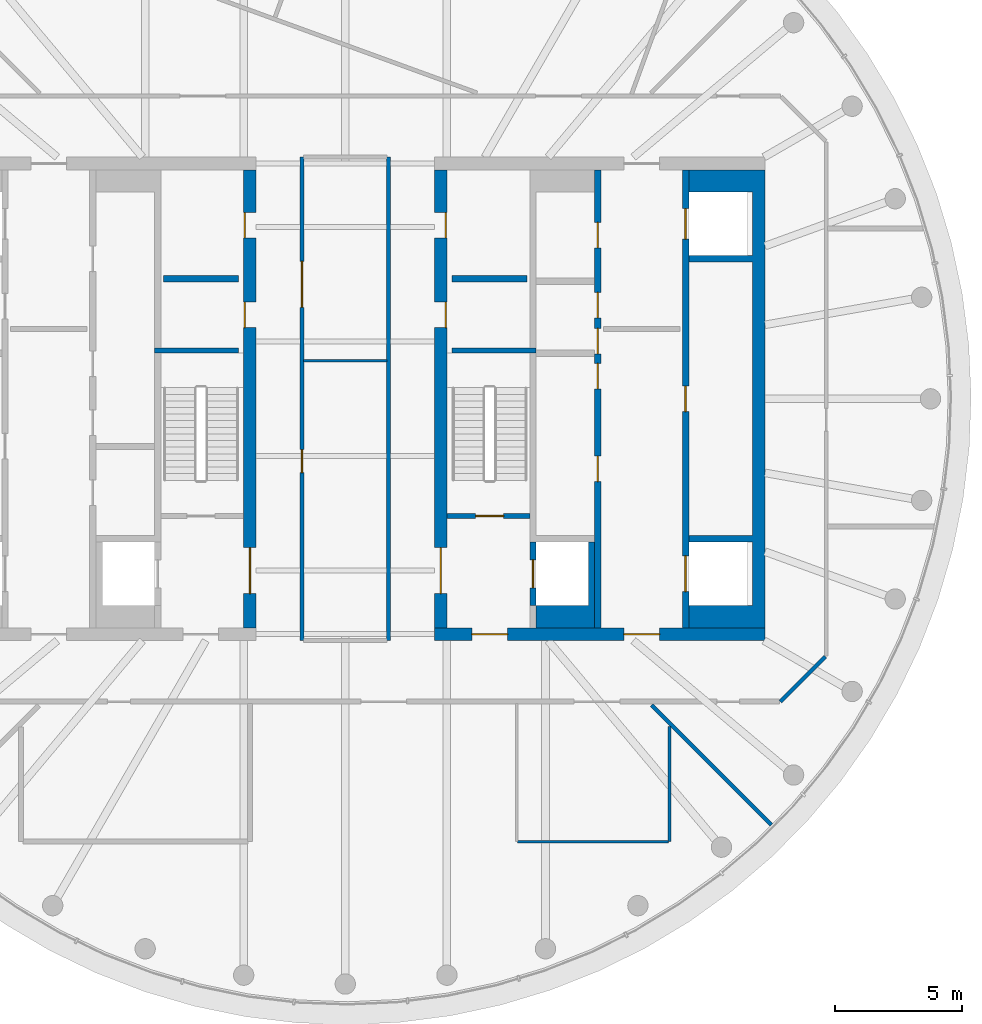
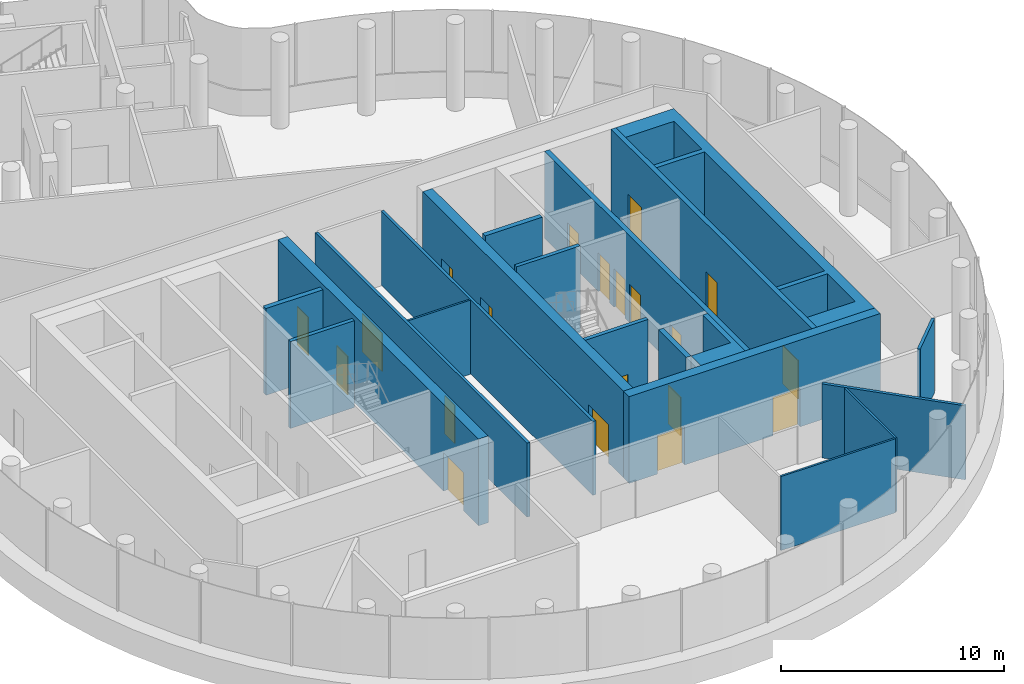
# One storey, part 9 of 12: 20 doors, 20 walls, 20 openings.
"""IFC4 building model written with IfcOpenShell, lengths in metres."""

from ifc_helpers import new_model, si_unit, direction, frame, frame_2d, origin, place, context, subcontext, project, spatial, polyline, rectangle, outline, extrude, material, layer, layer_set, type_object, element, fill, save


model = new_model("IFC4")

# Units and contexts
model_context = context("Model", 3, precision=1e-05, world=origin(), true_north=direction((0.0, 1.0)))
body_context = subcontext(model_context, "Body", "Model", "MODEL_VIEW")
ifc_project = project(units=[si_unit("LENGTHUNIT", "METRE"), si_unit("AREAUNIT", "SQUARE_METRE"), si_unit("VOLUMEUNIT", "CUBIC_METRE"), si_unit("PLANEANGLEUNIT", "RADIAN"), si_unit("MASSUNIT", "GRAM", prefix="KILO")], contexts=[model_context])

# Site, building, storey
site_placement = place(None, origin())
site = spatial("IfcSite", under=ifc_project, at=site_placement, CompositionType="ELEMENT")
building_placement = place(site_placement, origin())
building = spatial("IfcBuilding", under=site, at=building_placement, Name="Tamarind Cross Interchange Tower", CompositionType="ELEMENT")
storey_placement = place(building_placement, frame((0.0, 0.0, 294.39990234375)))
storey = spatial("IfcBuildingStorey", under=building, at=storey_placement, Name="L73", CompositionType="ELEMENT", Elevation=294.39990234375)

# Wall, openings, doors
ifc_material_1 = material(Name="Concrete C50", Category="concrete")
ifc_layer_1 = layer(ifc_material_1, 0.5)
ifc_layer_set_1 = layer_set([ifc_layer_1], Name="Concrete C50")
wall_type_1 = type_object("IfcWallType", Name="Core wall 500 mm Concrete C50", PredefinedType="SHEAR", material=ifc_layer_set_1)
wall_1_placement = place(storey_placement, frame((-3.75, -9.0, 0.0), z_axis=(0.0, 0.0, 1.0), x_axis=(0.0, 1.0, 0.0)))
wall_1 = element("IfcWall", 1, at=wall_1_placement, inside=storey, type_object=wall_type_1, Name="Core wall CWL-L73-W-IN", PredefinedType="SHEAR", context=body_context, shape_type="SweptSolid", body=[
    extrude(rectangle(XDim=18.0, YDim=0.5, at=frame_2d((9.0, 0.0))), origin(), (0.0, 0.0, 1.0), 4.75),
])
opening_1_placement = place(wall_1_placement, frame((1.35009765625, 0.0, 0.0)))
opening_1 = element("IfcOpeningElement", 2, at=opening_1_placement, cuts=wall_1, Name="Opening DCW4", PredefinedType="OPENING", context=body_context, shape_type="SweptSolid", body=[
    extrude(rectangle(XDim=1.800048828125, YDim=2.10009765625, at=frame_2d((0.89990234375, 1.050048828125))), frame((0.0, 0.260009765625, 0.0), z_axis=(0.0, -1.0, 0.0), x_axis=(1.0, 0.0, 0.0)), (0.0, 0.0, 1.0), 0.52001953125),
])
opening_2_placement = place(wall_1_placement, frame((11.797607421875, 0.0, 0.0)))
opening_2 = element("IfcOpeningElement", 3, at=opening_2_placement, cuts=wall_1, Name="Opening DCW5", PredefinedType="OPENING", context=body_context, shape_type="SweptSolid", body=[
    extrude(rectangle(XDim=1.0, YDim=2.10009765625, at=frame_2d((0.5, 1.050048828125))), frame((0.0, 0.260009765625, 0.0), z_axis=(0.0, -1.0, 0.0), x_axis=(1.0, 0.0, 0.0)), (0.0, 0.0, 1.0), 0.52001953125),
])
opening_3_placement = place(wall_1_placement, frame((15.322509765625, 0.0, 0.0)))
opening_3 = element("IfcOpeningElement", 4, at=opening_3_placement, cuts=wall_1, Name="Opening DCW5", PredefinedType="OPENING", context=body_context, shape_type="SweptSolid", body=[
    extrude(rectangle(XDim=1.0, YDim=2.10009765625, at=frame_2d((0.5, 1.050048828125))), frame((0.0, 0.260009765625, 0.0), z_axis=(0.0, -1.0, 0.0), x_axis=(1.0, 0.0, 0.0)), (0.0, 0.0, 1.0), 0.52001953125),
])
ifc_material_2 = material(Name="Steel, fire-resisting", Category="steel")
door_type_1 = type_object("IfcDoorType", Name="Core fire door 1000 x 2100 FD90", OperationType="SINGLE_SWING_LEFT", PredefinedType="DOOR", material=ifc_material_2)
door_1_placement = place(opening_2_placement, origin())
door_1 = element("IfcDoor", 5, at=door_1_placement, inside=storey, type_object=door_type_1, Name="L73 catering store door", OperationType="SINGLE_SWING_LEFT", OverallHeight=2.10009765625, OverallWidth=1.0, PredefinedType="DOOR", context=body_context, shape_type="SweptSolid", body=[
    extrude(rectangle(XDim=1.0, YDim=2.10009765625, at=frame_2d((0.5, 1.050048828125))), frame((0.0, 0.22509765625, 0.0), z_axis=(0.0, -1.0, 0.0), x_axis=(1.0, 0.0, 0.0)), (0.0, 0.0, 1.0), 0.050048828125),
])
fill(opening_2, door_1)
door_2_placement = place(opening_3_placement, origin())
door_2 = element("IfcDoor", 6, at=door_2_placement, inside=storey, type_object=door_type_1, Name="L73 cleaner's store door", OperationType="SINGLE_SWING_LEFT", OverallHeight=2.10009765625, OverallWidth=1.0, PredefinedType="DOOR", context=body_context, shape_type="SweptSolid", body=[
    extrude(rectangle(XDim=1.0, YDim=2.10009765625, at=frame_2d((0.5, 1.050048828125))), frame((0.0, 0.22509765625, 0.0), z_axis=(0.0, -1.0, 0.0), x_axis=(1.0, 0.0, 0.0)), (0.0, 0.0, 1.0), 0.050048828125),
])
fill(opening_3, door_2)
door_type_2 = type_object("IfcDoorType", Name="Core fire door 1800 x 2100 FD90", OperationType="SINGLE_SWING_LEFT", PredefinedType="DOOR", material=ifc_material_2)
door_3_placement = place(opening_1_placement, origin())
door_3 = element("IfcDoor", 7, at=door_3_placement, inside=storey, type_object=door_type_2, Name="L73 firefighting lobby door", OperationType="SINGLE_SWING_LEFT", OverallHeight=2.10009765625, OverallWidth=1.800048828125, PredefinedType="DOOR", context=body_context, shape_type="SweptSolid", body=[
    extrude(rectangle(XDim=1.800048828125, YDim=2.10009765625, at=frame_2d((0.89990234375, 1.050048828125))), frame((0.0, 0.02490234375, 0.0), z_axis=(0.0, -1.0, 0.0), x_axis=(1.0, 0.0, 0.0)), (0.0, 0.0, 1.0), 0.050048828125),
])
fill(opening_1, door_3)

wall_2_placement = place(storey_placement, frame((16.5, -9.25, 0.0), z_axis=(0.0, 0.0, 1.0), x_axis=(-1.0, 0.0, 0.0)))
wall_2 = element("IfcWall", 8, at=wall_2_placement, inside=storey, type_object=wall_type_1, Name="Core wall CWL-L73-E-S", PredefinedType="SHEAR", context=body_context, shape_type="SweptSolid", body=[
    extrude(rectangle(XDim=13.0, YDim=0.5, at=frame_2d((6.5, 0.0))), origin(), (0.0, 0.0, 1.0), 4.75),
])
opening_4_placement = place(wall_2_placement, frame((4.14990234375, 0.0, 0.0)))
opening_4 = element("IfcOpeningElement", 9, at=opening_4_placement, cuts=wall_2, Name="Opening DCE1", PredefinedType="OPENING", context=body_context, shape_type="SweptSolid", body=[
    extrude(rectangle(XDim=1.39990234375, YDim=2.10009765625, at=frame_2d((0.699951171875, 1.050048828125))), frame((0.0, 0.260009765625, 0.0), z_axis=(0.0, -1.0, 0.0), x_axis=(1.0, 0.0, 0.0)), (0.0, 0.0, 1.0), 0.52001953125),
])
opening_5_placement = place(wall_2_placement, frame((10.125, 0.0, 0.0)))
opening_5 = element("IfcOpeningElement", 10, at=opening_5_placement, cuts=wall_2, Name="Opening DCEF", PredefinedType="OPENING", context=body_context, shape_type="SweptSolid", body=[
    extrude(rectangle(XDim=1.39990234375, YDim=2.10009765625, at=frame_2d((0.699951171875, 1.050048828125))), frame((0.0, 0.260009765625, 0.0), z_axis=(0.0, -1.0, 0.0), x_axis=(1.0, 0.0, 0.0)), (0.0, 0.0, 1.0), 0.52001953125),
])
door_type_3 = type_object("IfcDoorType", Name="Core fire door 1400 x 2100 FD90", OperationType="SINGLE_SWING_LEFT", PredefinedType="DOOR", material=ifc_material_2)
door_4_placement = place(opening_4_placement, origin())
door_4 = element("IfcDoor", 11, at=door_4_placement, inside=storey, type_object=door_type_3, Name="L73 lift lobby door", OperationType="SINGLE_SWING_LEFT", OverallHeight=2.10009765625, OverallWidth=1.39990234375, PredefinedType="DOOR", context=body_context, shape_type="SweptSolid", body=[
    extrude(rectangle(XDim=1.39990234375, YDim=2.10009765625, at=frame_2d((0.699951171875, 1.050048828125))), frame((0.0, 0.02490234375, 0.0), z_axis=(0.0, -1.0, 0.0), x_axis=(1.0, 0.0, 0.0)), (0.0, 0.0, 1.0), 0.050048828125),
])
fill(opening_4, door_4)
door_5_placement = place(opening_5_placement, origin())
door_5 = element("IfcDoor", 12, at=door_5_placement, inside=storey, type_object=door_type_3, Name="L73 firefighting lobby end door", OperationType="SINGLE_SWING_LEFT", OverallHeight=2.10009765625, OverallWidth=1.39990234375, PredefinedType="DOOR", context=body_context, shape_type="SweptSolid", body=[
    extrude(rectangle(XDim=1.39990234375, YDim=2.10009765625, at=frame_2d((0.699951171875, 1.050048828125))), frame((0.0, 0.02490234375, 0.0), z_axis=(0.0, -1.0, 0.0), x_axis=(1.0, 0.0, 0.0)), (0.0, 0.0, 1.0), 0.050048828125),
])
fill(opening_5, door_5)

# Wall
wall_3_placement = place(storey_placement, origin())
element("IfcWall", 13, at=wall_3_placement, inside=storey, type_object=wall_type_1, Name="Core wall CWL-L73-E-A", PredefinedType="SHEAR", context=body_context, shape_type="SweptSolid", body=[
    extrude(outline(polyline([(13.5, -8.125), (13.5, -9.0), (16.0, -9.0), (16.5, -9.0), (16.5, 9.0), (16.0, 9.0), (13.5, 9.0), (13.5, 8.125), (16.0, 8.125), (16.0, 5.625), (13.5, 5.625), (13.5, 5.375), (16.0, 5.375), (16.0, -5.375), (13.5, -5.375), (13.5, -5.625), (16.0, -5.625), (16.0, -8.125), (13.5, -8.125)])), origin(), (0.0, 0.0, 1.0), 4.75),
])

# Wall, openings, doors
wall_4_placement = place(storey_placement, frame((3.75, -9.0, 0.0), z_axis=(0.0, 0.0, 1.0), x_axis=(0.0, 1.0, 0.0)))
wall_4 = element("IfcWall", 14, at=wall_4_placement, inside=storey, type_object=wall_type_1, Name="Core wall CWL-L73-E-IN", PredefinedType="SHEAR", context=body_context, shape_type="SweptSolid", body=[
    extrude(rectangle(XDim=18.0, YDim=0.5, at=frame_2d((9.0, 0.0))), origin(), (0.0, 0.0, 1.0), 4.75),
])
opening_6_placement = place(wall_4_placement, frame((1.35009765625, 0.0, 0.0)))
opening_6 = element("IfcOpeningElement", 15, at=opening_6_placement, cuts=wall_4, Name="Opening DCE4", PredefinedType="OPENING", context=body_context, shape_type="SweptSolid", body=[
    extrude(rectangle(XDim=1.800048828125, YDim=2.10009765625, at=frame_2d((0.89990234375, 1.050048828125))), frame((0.0, 0.260009765625, 0.0), z_axis=(0.0, -1.0, 0.0), x_axis=(1.0, 0.0, 0.0)), (0.0, 0.0, 1.0), 0.52001953125),
])
opening_7_placement = place(wall_4_placement, frame((11.797607421875, 0.0, 0.0)))
opening_7 = element("IfcOpeningElement", 16, at=opening_7_placement, cuts=wall_4, Name="Opening DCE5", PredefinedType="OPENING", context=body_context, shape_type="SweptSolid", body=[
    extrude(rectangle(XDim=1.0, YDim=2.10009765625, at=frame_2d((0.5, 1.050048828125))), frame((0.0, 0.260009765625, 0.0), z_axis=(0.0, -1.0, 0.0), x_axis=(1.0, 0.0, 0.0)), (0.0, 0.0, 1.0), 0.52001953125),
])
opening_8_placement = place(wall_4_placement, frame((15.322509765625, 0.0, 0.0)))
opening_8 = element("IfcOpeningElement", 17, at=opening_8_placement, cuts=wall_4, Name="Opening DCE5", PredefinedType="OPENING", context=body_context, shape_type="SweptSolid", body=[
    extrude(rectangle(XDim=1.0, YDim=2.10009765625, at=frame_2d((0.5, 1.050048828125))), frame((0.0, 0.260009765625, 0.0), z_axis=(0.0, -1.0, 0.0), x_axis=(1.0, 0.0, 0.0)), (0.0, 0.0, 1.0), 0.52001953125),
])
door_6_placement = place(opening_7_placement, origin())
door_6 = element("IfcDoor", 18, at=door_6_placement, inside=storey, type_object=door_type_1, Name="L73 catering store door", OperationType="SINGLE_SWING_LEFT", OverallHeight=2.10009765625, OverallWidth=1.0, PredefinedType="DOOR", context=body_context, shape_type="SweptSolid", body=[
    extrude(rectangle(XDim=1.0, YDim=2.10009765625, at=frame_2d((0.5, 1.050048828125))), frame((0.0, -0.1748046875, 0.0), z_axis=(0.0, -1.0, 0.0), x_axis=(1.0, 0.0, 0.0)), (0.0, 0.0, 1.0), 0.050048828125),
])
fill(opening_7, door_6)
door_7_placement = place(opening_8_placement, origin())
door_7 = element("IfcDoor", 19, at=door_7_placement, inside=storey, type_object=door_type_1, Name="L73 cleaner's store door", OperationType="SINGLE_SWING_LEFT", OverallHeight=2.10009765625, OverallWidth=1.0, PredefinedType="DOOR", context=body_context, shape_type="SweptSolid", body=[
    extrude(rectangle(XDim=1.0, YDim=2.10009765625, at=frame_2d((0.5, 1.050048828125))), frame((0.0, -0.1748046875, 0.0), z_axis=(0.0, -1.0, 0.0), x_axis=(1.0, 0.0, 0.0)), (0.0, 0.0, 1.0), 0.050048828125),
])
fill(opening_8, door_7)
door_8_placement = place(opening_6_placement, origin())
door_8 = element("IfcDoor", 20, at=door_8_placement, inside=storey, type_object=door_type_2, Name="L73 firefighting lobby door", OperationType="SINGLE_SWING_LEFT", OverallHeight=2.10009765625, OverallWidth=1.800048828125, PredefinedType="DOOR", context=body_context, shape_type="SweptSolid", body=[
    extrude(rectangle(XDim=1.800048828125, YDim=2.10009765625, at=frame_2d((0.89990234375, 1.050048828125))), frame((0.0, 0.02490234375, 0.0), z_axis=(0.0, -1.0, 0.0), x_axis=(1.0, 0.0, 0.0)), (0.0, 0.0, 1.0), 0.050048828125),
])
fill(opening_6, door_8)

# Walls
ifc_layer_2 = layer(ifc_material_1, 0.199951171875)
ifc_layer_set_2 = layer_set([ifc_layer_2], Name="Concrete C50")
wall_type_2 = type_object("IfcWallType", Name="Core web wall 200 mm Concrete C50", PredefinedType="SHEAR", material=ifc_layer_set_2)
for number, where, z_axis, x_axis, name in (
    (21, (-7.5, 1.89990234375, 0.0), (0.0, 0.0, 1.0), (1.0, 0.0, 0.0), "Core wall CWL-L73-W-BD"),
    (22, (7.5, 1.89990234375, 0.0), (0.0, 0.0, 1.0), (-1.0, 0.0, 0.0), "Core wall CWL-L73-E-BD"),
):
    element("IfcWall", number, at=place(storey_placement, frame(where, z_axis=z_axis, x_axis=x_axis)), inside=storey, type_object=wall_type_2, Name=name, PredefinedType="SHEAR", context=body_context, shape_type="SweptSolid", body=[
        extrude(rectangle(XDim=3.300048828125, YDim=0.199951171875, at=frame_2d((1.64990234375, 0.0))), origin(), (0.0, 0.0, 1.0), 4.75),
    ])
ifc_layer_3 = layer(ifc_material_1, 0.25)
ifc_layer_set_3 = layer_set([ifc_layer_3], Name="Concrete C50")
wall_type_3 = type_object("IfcWallType", Name="Core web wall 250 mm Concrete C50", PredefinedType="SHEAR", material=ifc_layer_set_3)
wall_5_placement = place(storey_placement, origin())
element("IfcWall", 23, at=wall_5_placement, inside=storey, type_object=wall_type_3, Name="Core wall CWL-L73-E-BS", PredefinedType="SHEAR", context=body_context, shape_type="SweptSolid", body=[
    extrude(outline(polyline([(7.5, -8.125), (7.5, -9.0), (9.800048828125, -9.0), (9.800048828125, -8.125), (9.800048828125, -5.625), (9.550048828125, -5.625), (9.550048828125, -8.125), (7.5, -8.125)])), origin(), (0.0, 0.0, 1.0), 4.75),
])

# Wall, openings, doors
wall_6_placement = place(storey_placement, frame((13.375, -9.0, 0.0), z_axis=(0.0, 0.0, 1.0), x_axis=(0.0, 1.0, 0.0)))
wall_6 = element("IfcWall", 24, at=wall_6_placement, inside=storey, type_object=wall_type_3, Name="Core wall CWL-L73-E-LA", PredefinedType="SHEAR", context=body_context, shape_type="SweptSolid", body=[
    extrude(rectangle(XDim=18.0, YDim=0.25, at=frame_2d((9.0, 0.0))), origin(), (0.0, 0.0, 1.0), 4.75),
])
opening_9_placement = place(wall_6_placement, frame((1.425048828125, 0.0, 0.0)))
opening_9 = element("IfcOpeningElement", 25, at=opening_9_placement, cuts=wall_6, Name="Opening LD13L73", PredefinedType="OPENING", context=body_context, shape_type="SweptSolid", body=[
    extrude(rectangle(XDim=1.39990234375, YDim=2.10009765625, at=frame_2d((0.699951171875, 1.050048828125))), frame((0.0, 0.135009765625, 0.0), z_axis=(0.0, -1.0, 0.0), x_axis=(1.0, 0.0, 0.0)), (0.0, 0.0, 1.0), 0.27001953125),
])
opening_10_placement = place(wall_6_placement, frame((15.27490234375, 0.0, 0.0)))
opening_10 = element("IfcOpeningElement", 26, at=opening_10_placement, cuts=wall_6, Name="Opening LD18L73", PredefinedType="OPENING", context=body_context, shape_type="SweptSolid", body=[
    extrude(rectangle(XDim=1.199951171875, YDim=2.10009765625, at=frame_2d((0.60009765625, 1.050048828125))), frame((0.0, 0.135009765625, 0.0), z_axis=(0.0, -1.0, 0.0), x_axis=(1.0, 0.0, 0.0)), (0.0, 0.0, 1.0), 0.27001953125),
])
opening_11_placement = place(wall_6_placement, frame((8.5, 0.0, 0.0)))
opening_11 = element("IfcOpeningElement", 27, at=opening_11_placement, cuts=wall_6, Name="Opening DCE9", PredefinedType="OPENING", context=body_context, shape_type="SweptSolid", body=[
    extrude(rectangle(XDim=1.0, YDim=2.10009765625, at=frame_2d((0.5, 1.050048828125))), frame((0.0, 0.135009765625, 0.0), z_axis=(0.0, -1.0, 0.0), x_axis=(1.0, 0.0, 0.0)), (0.0, 0.0, 1.0), 0.27001953125),
])
door_9_placement = place(opening_11_placement, origin())
door_9 = element("IfcDoor", 28, at=door_9_placement, inside=storey, type_object=door_type_1, Name="L73 Guide's room door", OperationType="SINGLE_SWING_LEFT", OverallHeight=2.10009765625, OverallWidth=1.0, PredefinedType="DOOR", context=body_context, shape_type="SweptSolid", body=[
    extrude(rectangle(XDim=1.0, YDim=2.10009765625, at=frame_2d((0.5, 1.050048828125))), frame((0.0, 0.02490234375, 0.0), z_axis=(0.0, -1.0, 0.0), x_axis=(1.0, 0.0, 0.0)), (0.0, 0.0, 1.0), 0.050048828125),
])
fill(opening_11, door_9)
ifc_material_3 = material(Name="Stainless steel panel", Category="steel")
door_type_4 = type_object("IfcDoorType", Name="Lift landing door 1200 x 2100 E 120", OperationType="SLIDING_TO_LEFT", PredefinedType="DOOR", material=ifc_material_3)
door_10_placement = place(opening_10_placement, origin())
door_10 = element("IfcDoor", 29, at=door_10_placement, inside=storey, type_object=door_type_4, Name="L73 landing door LF18", OperationType="SLIDING_TO_LEFT", OverallHeight=2.10009765625, OverallWidth=1.199951171875, PredefinedType="DOOR", context=body_context, shape_type="SweptSolid", body=[
    extrude(rectangle(XDim=1.199951171875, YDim=2.10009765625, at=frame_2d((0.60009765625, 1.050048828125))), frame((0.0, 0.02490234375, 0.0), z_axis=(0.0, -1.0, 0.0), x_axis=(1.0, 0.0, 0.0)), (0.0, 0.0, 1.0), 0.050048828125),
])
fill(opening_10, door_10)
door_type_5 = type_object("IfcDoorType", Name="Lift landing door 1400 x 2100 E 120", OperationType="SLIDING_TO_LEFT", PredefinedType="DOOR", material=ifc_material_3)
door_11_placement = place(opening_9_placement, origin())
door_11 = element("IfcDoor", 30, at=door_11_placement, inside=storey, type_object=door_type_5, Name="L73 landing door LF13", OperationType="SLIDING_TO_LEFT", OverallHeight=2.10009765625, OverallWidth=1.39990234375, PredefinedType="DOOR", context=body_context, shape_type="SweptSolid", body=[
    extrude(rectangle(XDim=1.39990234375, YDim=2.10009765625, at=frame_2d((0.699951171875, 1.050048828125))), frame((0.0, 0.02490234375, 0.0), z_axis=(0.0, -1.0, 0.0), x_axis=(1.0, 0.0, 0.0)), (0.0, 0.0, 1.0), 0.050048828125),
])
fill(opening_9, door_11)

wall_7_placement = place(storey_placement, frame((9.925048828125, -9.0, 0.0), z_axis=(0.0, 0.0, 1.0), x_axis=(0.0, 1.0, 0.0)))
wall_7 = element("IfcWall", 31, at=wall_7_placement, inside=storey, type_object=wall_type_3, Name="Core wall CWL-L73-E-LB", PredefinedType="SHEAR", context=body_context, shape_type="SweptSolid", body=[
    extrude(rectangle(XDim=18.0, YDim=0.25, at=frame_2d((9.0, 0.0))), origin(), (0.0, 0.0, 1.0), 4.75),
])
opening_12_placement = place(wall_7_placement, frame((5.75, 0.0, 0.0)))
opening_12 = element("IfcOpeningElement", 32, at=opening_12_placement, cuts=wall_7, Name="Opening DCE21", PredefinedType="OPENING", context=body_context, shape_type="SweptSolid", body=[
    extrude(rectangle(XDim=1.0, YDim=2.10009765625, at=frame_2d((0.5, 1.050048828125))), frame((0.0, 0.135009765625, 0.0), z_axis=(0.0, -1.0, 0.0), x_axis=(1.0, 0.0, 0.0)), (0.0, 0.0, 1.0), 0.27001953125),
])
opening_13_placement = place(wall_7_placement, frame((9.39599609375, 0.0, 0.0)))
opening_13 = element("IfcOpeningElement", 33, at=opening_13_placement, cuts=wall_7, Name="Opening DCE21", PredefinedType="OPENING", context=body_context, shape_type="SweptSolid", body=[
    extrude(rectangle(XDim=1.0, YDim=2.10009765625, at=frame_2d((0.5, 1.050048828125))), frame((0.0, 0.135009765625, 0.0), z_axis=(0.0, -1.0, 0.0), x_axis=(1.0, 0.0, 0.0)), (0.0, 0.0, 1.0), 0.27001953125),
])
opening_14_placement = place(wall_7_placement, frame((10.77099609375, 0.0, 0.0)))
opening_14 = element("IfcOpeningElement", 34, at=opening_14_placement, cuts=wall_7, Name="Opening DCE22", PredefinedType="OPENING", context=body_context, shape_type="SweptSolid", body=[
    extrude(rectangle(XDim=1.0, YDim=2.10009765625, at=frame_2d((0.5, 1.050048828125))), frame((0.0, 0.135009765625, 0.0), z_axis=(0.0, -1.0, 0.0), x_axis=(1.0, 0.0, 0.0)), (0.0, 0.0, 1.0), 0.27001953125),
])
opening_15_placement = place(wall_7_placement, frame((12.1875, 0.0, 0.0)))
opening_15 = element("IfcOpeningElement", 35, at=opening_15_placement, cuts=wall_7, Name="Opening DCE21", PredefinedType="OPENING", context=body_context, shape_type="SweptSolid", body=[
    extrude(rectangle(XDim=1.0, YDim=2.10009765625, at=frame_2d((0.5, 1.050048828125))), frame((0.0, 0.135009765625, 0.0), z_axis=(0.0, -1.0, 0.0), x_axis=(1.0, 0.0, 0.0)), (0.0, 0.0, 1.0), 0.27001953125),
])
opening_16_placement = place(wall_7_placement, frame((14.9375, 0.0, 0.0)))
opening_16 = element("IfcOpeningElement", 36, at=opening_16_placement, cuts=wall_7, Name="Opening DCE22", PredefinedType="OPENING", context=body_context, shape_type="SweptSolid", body=[
    extrude(rectangle(XDim=1.0, YDim=2.10009765625, at=frame_2d((0.5, 1.050048828125))), frame((0.0, 0.135009765625, 0.0), z_axis=(0.0, -1.0, 0.0), x_axis=(1.0, 0.0, 0.0)), (0.0, 0.0, 1.0), 0.27001953125),
])
door_12_placement = place(opening_12_placement, origin())
door_12 = element("IfcDoor", 37, at=door_12_placement, inside=storey, type_object=door_type_1, Name="L73 Cleaner's store door", OperationType="SINGLE_SWING_LEFT", OverallHeight=2.10009765625, OverallWidth=1.0, PredefinedType="DOOR", context=body_context, shape_type="SweptSolid", body=[
    extrude(rectangle(XDim=1.0, YDim=2.10009765625, at=frame_2d((0.5, 1.050048828125))), frame((0.0, 0.02490234375, 0.0), z_axis=(0.0, -1.0, 0.0), x_axis=(1.0, 0.0, 0.0)), (0.0, 0.0, 1.0), 0.050048828125),
])
fill(opening_12, door_12)
door_13_placement = place(opening_13_placement, origin())
door_13 = element("IfcDoor", 38, at=door_13_placement, inside=storey, type_object=door_type_1, Name="L73 First aid room door", OperationType="SINGLE_SWING_LEFT", OverallHeight=2.10009765625, OverallWidth=1.0, PredefinedType="DOOR", context=body_context, shape_type="SweptSolid", body=[
    extrude(rectangle(XDim=1.0, YDim=2.10009765625, at=frame_2d((0.5, 1.050048828125))), frame((0.0, 0.02490234375, 0.0), z_axis=(0.0, -1.0, 0.0), x_axis=(1.0, 0.0, 0.0)), (0.0, 0.0, 1.0), 0.050048828125),
])
fill(opening_13, door_13)
door_14_placement = place(opening_14_placement, origin())
door_14 = element("IfcDoor", 39, at=door_14_placement, inside=storey, type_object=door_type_1, Name="L73 Catering store door", OperationType="SINGLE_SWING_LEFT", OverallHeight=2.10009765625, OverallWidth=1.0, PredefinedType="DOOR", context=body_context, shape_type="SweptSolid", body=[
    extrude(rectangle(XDim=1.0, YDim=2.10009765625, at=frame_2d((0.5, 1.050048828125))), frame((0.0, 0.02490234375, 0.0), z_axis=(0.0, -1.0, 0.0), x_axis=(1.0, 0.0, 0.0)), (0.0, 0.0, 1.0), 0.050048828125),
])
fill(opening_14, door_14)
door_15_placement = place(opening_15_placement, origin())
door_15 = element("IfcDoor", 40, at=door_15_placement, inside=storey, type_object=door_type_1, Name="L73 Catering store door", OperationType="SINGLE_SWING_LEFT", OverallHeight=2.10009765625, OverallWidth=1.0, PredefinedType="DOOR", context=body_context, shape_type="SweptSolid", body=[
    extrude(rectangle(XDim=1.0, YDim=2.10009765625, at=frame_2d((0.5, 1.050048828125))), frame((0.0, 0.02490234375, 0.0), z_axis=(0.0, -1.0, 0.0), x_axis=(1.0, 0.0, 0.0)), (0.0, 0.0, 1.0), 0.050048828125),
])
fill(opening_15, door_15)
door_16_placement = place(opening_16_placement, origin())
door_16 = element("IfcDoor", 41, at=door_16_placement, inside=storey, type_object=door_type_1, Name="L73 Cleaner's store door", OperationType="SINGLE_SWING_LEFT", OverallHeight=2.10009765625, OverallWidth=1.0, PredefinedType="DOOR", context=body_context, shape_type="SweptSolid", body=[
    extrude(rectangle(XDim=1.0, YDim=2.10009765625, at=frame_2d((0.5, 1.050048828125))), frame((0.0, 0.02490234375, 0.0), z_axis=(0.0, -1.0, 0.0), x_axis=(1.0, 0.0, 0.0)), (0.0, 0.0, 1.0), 0.050048828125),
])
fill(opening_16, door_16)

# Wall, opening, door
wall_8_placement = place(storey_placement, frame((7.375, -8.125, 0.0), z_axis=(0.0, 0.0, 1.0), x_axis=(0.0, 1.0, 0.0)))
wall_8 = element("IfcWall", 42, at=wall_8_placement, inside=storey, type_object=wall_type_3, Name="Core wall CWL-L73-E-FF", PredefinedType="SHEAR", context=body_context, shape_type="SweptSolid", body=[
    extrude(rectangle(XDim=2.5, YDim=0.25, at=frame_2d((1.25, 0.0))), origin(), (0.0, 0.0, 1.0), 4.75),
])
opening_17_placement = place(wall_8_placement, frame((0.699951171875, 0.0, 0.0)))
opening_17 = element("IfcOpeningElement", 43, at=opening_17_placement, cuts=wall_8, Name="Opening LD19L73", PredefinedType="OPENING", context=body_context, shape_type="SweptSolid", body=[
    extrude(rectangle(XDim=1.10009765625, YDim=2.10009765625, at=frame_2d((0.550048828125, 1.050048828125))), frame((0.0, 0.135009765625, 0.0), z_axis=(0.0, -1.0, 0.0), x_axis=(1.0, 0.0, 0.0)), (0.0, 0.0, 1.0), 0.27001953125),
])
door_type_6 = type_object("IfcDoorType", Name="Lift landing door 1100 x 2100 E 120", OperationType="SLIDING_TO_LEFT", PredefinedType="DOOR", material=ifc_material_3)
door_17_placement = place(opening_17_placement, origin())
door_17 = element("IfcDoor", 44, at=door_17_placement, inside=storey, type_object=door_type_6, Name="L73 landing door LF19", OperationType="SLIDING_TO_LEFT", OverallHeight=2.10009765625, OverallWidth=1.10009765625, PredefinedType="DOOR", context=body_context, shape_type="SweptSolid", body=[
    extrude(rectangle(XDim=1.10009765625, YDim=2.10009765625, at=frame_2d((0.550048828125, 1.050048828125))), frame((0.0, 0.02490234375, 0.0), z_axis=(0.0, -1.0, 0.0), x_axis=(1.0, 0.0, 0.0)), (0.0, 0.0, 1.0), 0.050048828125),
])
fill(opening_17, door_17)

# Walls
ifc_material_4 = material(Name="Gypsum board partition on steel studs", Category="steel")
ifc_layer_4 = layer(ifc_material_4, 0.10009765625)
ifc_layer_set_4 = layer_set([ifc_layer_4], Name="Gypsum board partition on steel studs")
wall_type_4 = type_object("IfcWallType", Name="Partition 100 mm EI 120", PredefinedType="PARTITIONING", material=ifc_layer_set_4)
wall_9_placement = place(storey_placement, frame((-1.639892578125, 1.5, 0.0), z_axis=(0.0, 0.0, 1.0), x_axis=(1.0, 0.0, 0.0)))
element("IfcWall", 45, at=wall_9_placement, inside=storey, type_object=wall_type_4, Name="Partition L73-019", PredefinedType="PARTITIONING", context=body_context, shape_type="SweptSolid", body=[
    extrude(rectangle(XDim=3.27978515625, YDim=0.10009765625, at=frame_2d((1.639892578125, 0.0))), origin(), (0.0, 0.0, 1.0), 4.050048828125),
])
ifc_layer_5 = layer(ifc_material_4, 0.10009765625)
ifc_layer_set_5 = layer_set([ifc_layer_5], Name="Gypsum board partition on steel studs")
wall_type_5 = type_object("IfcWallType", Name="Partition 100 mm EI 90", PredefinedType="PARTITIONING", material=ifc_layer_set_5)
wall_10_placement = place(storey_placement, frame((6.77099609375, -17.39990234375, 0.0), z_axis=(0.0, 0.0, 1.0), x_axis=(1.0, 0.0, 0.0)))
element("IfcWall", 46, at=wall_10_placement, inside=storey, type_object=wall_type_5, Name="Partition L73-017", PredefinedType="PARTITIONING", context=body_context, shape_type="SweptSolid", body=[
    extrude(rectangle(XDim=5.93505859375, YDim=0.10009765625, at=frame_2d((2.967529296875, 0.0))), origin(), (0.0, 0.0, 1.0), 4.050048828125),
])
wall_11_placement = place(storey_placement, frame((12.740966796875, -17.39990234375, 0.0), z_axis=(0.0, 0.0, 1.0), x_axis=(0.0, 1.0, 0.0)))
element("IfcWall", 47, at=wall_11_placement, inside=storey, type_object=wall_type_5, Name="Partition L73-043", PredefinedType="PARTITIONING", context=body_context, shape_type="SweptSolid", body=[
    extrude(rectangle(XDim=4.518798828125, YDim=0.10009765625, at=frame_2d((2.25927734375, 0.0))), origin(), (0.0, 0.0, 1.0), 4.050048828125),
])
ifc_layer_6 = layer(ifc_material_4, 0.14990234375)
ifc_layer_set_6 = layer_set([ifc_layer_6], Name="Gypsum board partition on steel studs")
wall_type_6 = type_object("IfcWallType", Name="Partition 150 mm EI 120", PredefinedType="PARTITIONING", material=ifc_layer_set_6)
wall_12_placement = place(storey_placement, frame((12.034423828125, -12.034423828125, 0.0), z_axis=(0.0, 0.0, 1.0), x_axis=(0.707106781187, -0.707106781187, 0.0)))
element("IfcWall", 48, at=wall_12_placement, inside=storey, type_object=wall_type_6, Name="Partition L73-003", PredefinedType="PARTITIONING", context=body_context, shape_type="SweptSolid", body=[
    extrude(rectangle(XDim=6.6552734375, YDim=0.14990234375, at=frame_2d((3.32763671875, 0.0))), origin(), (0.0, 0.0, 1.0), 4.050048828125),
])
wall_13_placement = place(storey_placement, frame((17.10009765625, -11.89990234375, 0.0), z_axis=(0.0, 0.0, 1.0), x_axis=(0.707106781187, 0.707106781187, 0.0)))
element("IfcWall", 49, at=wall_13_placement, inside=storey, type_object=wall_type_6, Name="Partition L73-026", PredefinedType="PARTITIONING", context=body_context, shape_type="SweptSolid", body=[
    extrude(rectangle(XDim=2.50537109375, YDim=0.14990234375, at=frame_2d((1.252685546875, 0.0))), origin(), (0.0, 0.0, 1.0), 4.050048828125),
])

# Wall, openings, doors
wall_14_placement = place(storey_placement, frame((-1.699951171875, -9.5, 0.0), z_axis=(0.0, 0.0, 1.0), x_axis=(0.0, 1.0, 0.0)))
wall_14 = element("IfcWall", 50, at=wall_14_placement, inside=storey, type_object=wall_type_6, Name="Partition L73-040", PredefinedType="PARTITIONING", context=body_context, shape_type="SweptSolid", body=[
    extrude(rectangle(XDim=19.0, YDim=0.14990234375, at=frame_2d((9.5, 0.0))), origin(), (0.0, 0.0, 1.0), 4.050048828125),
])
opening_18_placement = place(wall_14_placement, frame((6.60009765625, 0.0, 0.0)))
opening_18 = element("IfcOpeningElement", 51, at=opening_18_placement, cuts=wall_14, Name="Opening D18", PredefinedType="OPENING", context=body_context, shape_type="SweptSolid", body=[
    extrude(rectangle(XDim=0.89990234375, YDim=2.10009765625, at=frame_2d((0.449951171875, 1.050048828125))), frame((0.0, 0.0849609375, 0.0), z_axis=(0.0, -1.0, 0.0), x_axis=(1.0, 0.0, 0.0)), (0.0, 0.0, 1.0), 0.169921875),
])
opening_19_placement = place(wall_14_placement, frame((13.10009765625, 0.0, 0.0)))
opening_19 = element("IfcOpeningElement", 52, at=opening_19_placement, cuts=wall_14, Name="Opening D19", PredefinedType="OPENING", context=body_context, shape_type="SweptSolid", body=[
    extrude(rectangle(XDim=1.800048828125, YDim=2.10009765625, at=frame_2d((0.89990234375, 1.050048828125))), frame((0.0, 0.0849609375, 0.0), z_axis=(0.0, -1.0, 0.0), x_axis=(1.0, 0.0, 0.0)), (0.0, 0.0, 1.0), 0.169921875),
])
ifc_material_5 = material(Name="Fire-resisting door set")
door_type_7 = type_object("IfcDoorType", Name="Interior door 1800 x 2100 FD60S", OperationType="DOUBLE_DOOR_SINGLE_SWING", PredefinedType="DOOR", material=ifc_material_5)
door_18_placement = place(opening_19_placement, frame((1.800048828125, 0.0, 0.0), z_axis=(0.0, 0.0, 1.0), x_axis=(-1.0, 0.0, 0.0)))
door_18 = element("IfcDoor", 53, at=door_18_placement, inside=storey, type_object=door_type_7, Name="Door D19", OperationType="DOUBLE_DOOR_SINGLE_SWING", OverallHeight=2.10009765625, OverallWidth=1.800048828125, PredefinedType="DOOR", context=body_context, shape_type="SweptSolid", body=[
    extrude(rectangle(XDim=1.800048828125, YDim=2.10009765625, at=frame_2d((0.89990234375, 1.050048828125))), frame((0.0, 0.02490234375, 0.0), z_axis=(0.0, -1.0, 0.0), x_axis=(1.0, 0.0, 0.0)), (0.0, 0.0, 1.0), 0.050048828125),
])
fill(opening_19, door_18)
door_type_8 = type_object("IfcDoorType", Name="Interior door 900 x 2100 FD60S", OperationType="SINGLE_SWING_LEFT", PredefinedType="DOOR", material=ifc_material_5)
door_19_placement = place(opening_18_placement, frame((0.89990234375, 0.0, 0.0), z_axis=(0.0, 0.0, 1.0), x_axis=(-1.0, 0.0, 0.0)))
door_19 = element("IfcDoor", 54, at=door_19_placement, inside=storey, type_object=door_type_8, Name="Door D18", OperationType="SINGLE_SWING_LEFT", OverallHeight=2.10009765625, OverallWidth=0.89990234375, PredefinedType="DOOR", context=body_context, shape_type="SweptSolid", body=[
    extrude(rectangle(XDim=0.89990234375, YDim=2.10009765625, at=frame_2d((0.449951171875, 1.050048828125))), frame((0.0, 0.02490234375, 0.0), z_axis=(0.0, -1.0, 0.0), x_axis=(1.0, 0.0, 0.0)), (0.0, 0.0, 1.0), 0.050048828125),
])
fill(opening_18, door_19)

# Walls
wall_15_placement = place(storey_placement, frame((1.699951171875, -9.5, 0.0), z_axis=(0.0, 0.0, 1.0), x_axis=(0.0, 1.0, 0.0)))
element("IfcWall", 55, at=wall_15_placement, inside=storey, type_object=wall_type_6, Name="Partition L73-041", PredefinedType="PARTITIONING", context=body_context, shape_type="SweptSolid", body=[
    extrude(rectangle(XDim=19.0, YDim=0.14990234375, at=frame_2d((9.5, 0.0))), origin(), (0.0, 0.0, 1.0), 4.050048828125),
])
ifc_material_6 = material(Name="Concrete C40", Category="concrete")
ifc_layer_7 = layer(ifc_material_6, 0.25)
ifc_layer_set_7 = layer_set([ifc_layer_7], Name="Concrete C40")
wall_type_7 = type_object("IfcWallType", Name="Shaft and lobby wall 250 mm Concrete C40", PredefinedType="PARTITIONING", material=ifc_layer_set_7)
for number, where, z_axis, x_axis, name in (
    (56, (-7.14990234375, 4.719970703125, 0.0), (0.0, 0.0, 1.0), (1.0, 0.0, 0.0), "Shaft wall CWL-L73-W-SVP"),
    (57, (7.14990234375, 4.719970703125, 0.0), (0.0, 0.0, 1.0), (-1.0, 0.0, 0.0), "Shaft wall CWL-L73-E-SVP"),
):
    element("IfcWall", number, at=place(storey_placement, frame(where, z_axis=z_axis, x_axis=x_axis)), inside=storey, type_object=wall_type_7, Name=name, PredefinedType="PARTITIONING", context=body_context, shape_type="SweptSolid", body=[
        extrude(rectangle(XDim=2.949951171875, YDim=0.25, at=frame_2d((1.47509765625, 0.0))), origin(), (0.0, 0.0, 1.0), 4.75),
    ])

# Wall, opening, door
ifc_layer_8 = layer(ifc_material_6, 0.199951171875)
ifc_layer_set_8 = layer_set([ifc_layer_8], Name="Concrete C40")
wall_type_8 = type_object("IfcWallType", Name="Stair shaft wall 200 mm Concrete C40", PredefinedType="SHEAR", material=ifc_layer_set_8)
wall_16_placement = place(storey_placement, frame((7.25, -4.60009765625, 0.0), z_axis=(0.0, 0.0, 1.0), x_axis=(-1.0, 0.0, 0.0)))
wall_16 = element("IfcWall", 58, at=wall_16_placement, inside=storey, type_object=wall_type_8, Name="Core wall CWL-L73-E-SD", PredefinedType="SHEAR", context=body_context, shape_type="SweptSolid", body=[
    extrude(rectangle(XDim=3.25, YDim=0.199951171875, at=frame_2d((1.625, 0.0))), origin(), (0.0, 0.0, 1.0), 4.75),
])
opening_20_placement = place(wall_16_placement, frame((1.02490234375, 0.0, 0.0)))
opening_20 = element("IfcOpeningElement", 59, at=opening_20_placement, cuts=wall_16, Name="Opening DCE6", PredefinedType="OPENING", context=body_context, shape_type="SweptSolid", body=[
    extrude(rectangle(XDim=1.10009765625, YDim=2.10009765625, at=frame_2d((0.550048828125, 1.050048828125))), frame((0.0, 0.10986328125, 0.0), z_axis=(0.0, -1.0, 0.0), x_axis=(1.0, 0.0, 0.0)), (0.0, 0.0, 1.0), 0.219970703125),
])
door_type_9 = type_object("IfcDoorType", Name="Core fire door 1100 x 2100 FD90", OperationType="SINGLE_SWING_LEFT", PredefinedType="DOOR", material=ifc_material_2)
door_20_placement = place(opening_20_placement, origin())
door_20 = element("IfcDoor", 60, at=door_20_placement, inside=storey, type_object=door_type_9, Name="L73 stair door", OperationType="SINGLE_SWING_LEFT", OverallHeight=2.10009765625, OverallWidth=1.10009765625, PredefinedType="DOOR", context=body_context, shape_type="SweptSolid", body=[
    extrude(rectangle(XDim=1.10009765625, YDim=2.10009765625, at=frame_2d((0.550048828125, 1.050048828125))), frame((0.0, 0.02490234375, 0.0), z_axis=(0.0, -1.0, 0.0), x_axis=(1.0, 0.0, 0.0)), (0.0, 0.0, 1.0), 0.050048828125),
])
fill(opening_20, door_20)

save(model, "model.ifc")
